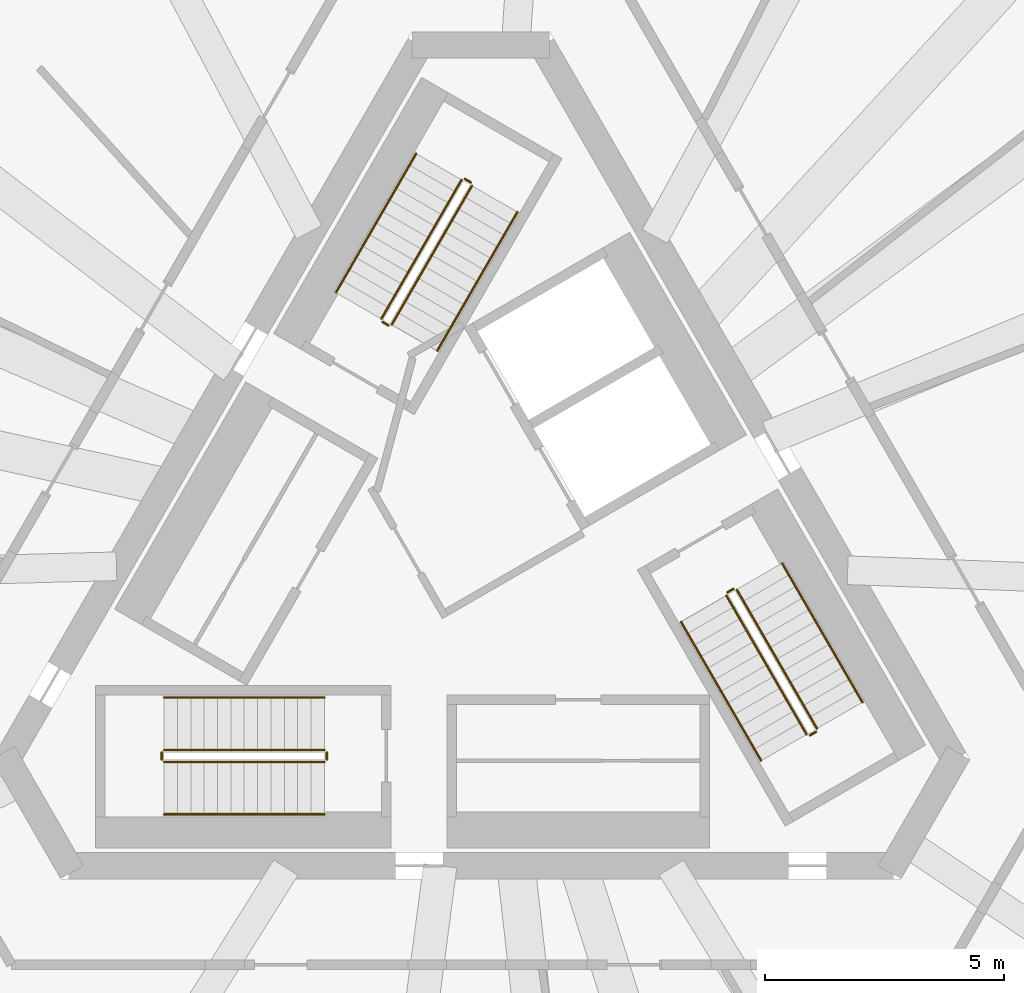
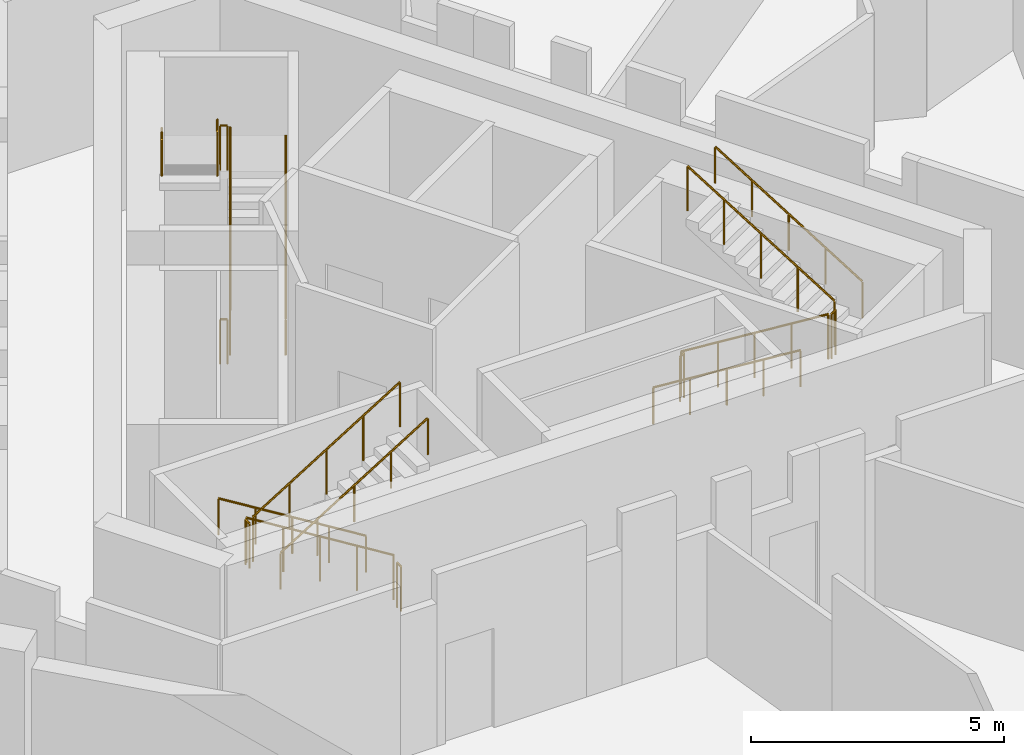
# One storey, part 5 of 5: 18 railings.
"""IFC4 building model written with IfcOpenShell, lengths in metres."""

import ifcopenshell
import ifcopenshell.guid

model = None  # the IFC model being written
_history = None  # IfcOwnerHistory: only IFC2X3 demands one
_inside = {}  # id of a spatial element -> (the spatial element, [elements in it])
_under = {}  # id of a project, library or spatial element -> (it, [spatial elements below it])
_declared = {}  # id of a project -> (the project, [libraries it declares])
_typed = {}  # id of a type object -> (the type object, [elements of that type])
_made_of = {}  # id of a material, layer set ... -> (it, [elements and type objects made of it])


def new_model(schema):
    """Start an empty IFC model of exactly this schema.

    Asked for "IFC4X3", IfcOpenShell would pick the latest addendum, in which some entities
    have other attributes; the version numbers below select the first issue.
    IFC2X3 requires an IfcOwnerHistory on every rooted entity: one is made here for all.
    """
    global model, _history
    if schema == "IFC4X3":
        model = ifcopenshell.file(schema_version=(4, 3, 0, 0))
    else:
        model = ifcopenshell.file(schema=schema)
    _inside.clear()
    _under.clear()
    _declared.clear()
    _typed.clear()
    _made_of.clear()
    _history = None
    if model.schema == "IFC2X3":
        org = make("IfcOrganization", Name="unknown")
        user = make(
            "IfcPersonAndOrganization",
            ThePerson=make("IfcPerson", FamilyName="unknown"),
            TheOrganization=org,
        )
        app = make(
            "IfcApplication",
            ApplicationDeveloper=org,
            Version="unknown",
            ApplicationFullName="unknown",
            ApplicationIdentifier="unknown",
        )
        _history = make(
            "IfcOwnerHistory",
            OwningUser=user,
            OwningApplication=app,
            ChangeAction="ADDED",
            CreationDate=0,
        )
    return model


def make(cls, **values):
    """One entity of the class cls with the attributes given. An attribute that is None is left unset."""
    return model.create_entity(
        cls, **{name: value for name, value in values.items() if value is not None}
    )


def rooted(cls, **values):
    """An entity with a GlobalId (a new one), such as an element, a storey or a relation."""
    return make(cls, GlobalId=ifcopenshell.guid.new(), OwnerHistory=_history, **values)


def si_unit(unit_type, name, prefix=None):
    """IfcSIUnit, for example si_unit("LENGTHUNIT", "METRE", prefix="MILLI")."""
    return make("IfcSIUnit", UnitType=unit_type, Prefix=prefix, Name=name)


def assignment(units):
    """IfcUnitAssignment: the units of a project."""
    return None if units is None else make("IfcUnitAssignment", Units=units)


def point(xyz):
    """IfcCartesianPoint."""
    return None if xyz is None else make("IfcCartesianPoint", Coordinates=xyz)


def direction(xyz):
    """IfcDirection."""
    return None if xyz is None else make("IfcDirection", DirectionRatios=xyz)


def frame(location, z_axis=None, x_axis=None):
    """IfcAxis2Placement3D, a coordinate frame: its origin and axes. An axis left out is left unset."""
    return make(
        "IfcAxis2Placement3D",
        Location=point(location),
        Axis=direction(z_axis),
        RefDirection=direction(x_axis),
    )


def frame_2d(location, x_axis=None):
    """IfcAxis2Placement2D, a coordinate frame in the plane: its origin and x axis."""
    return make(
        "IfcAxis2Placement2D", Location=point(location), RefDirection=direction(x_axis)
    )


def origin():
    """The frame at (0, 0, 0) with its axes left unset."""
    return frame((0.0, 0.0, 0.0))


def origin_2d():
    """The frame at (0, 0) in the plane with its x axis left unset."""
    return frame_2d((0.0, 0.0))


def place(relative_to, where):
    """IfcLocalPlacement: puts the frame where relative to a parent placement (None: the world)."""
    return make(
        "IfcLocalPlacement", PlacementRelTo=relative_to, RelativePlacement=where
    )


def context(
    kind, dimensions, precision=None, world=None, true_north=None, identifier=None
):
    """IfcGeometricRepresentationContext, for example the 3D "Model" context."""
    return make(
        "IfcGeometricRepresentationContext",
        ContextIdentifier=identifier,
        ContextType=kind,
        CoordinateSpaceDimension=dimensions,
        Precision=precision,
        WorldCoordinateSystem=world,
        TrueNorth=true_north,
    )


def subcontext(parent, identifier, kind, view, scale=None):
    """IfcGeometricRepresentationSubContext, for example "Body" below "Model"."""
    return make(
        "IfcGeometricRepresentationSubContext",
        ContextIdentifier=identifier,
        ContextType=kind,
        ParentContext=parent,
        TargetScale=scale,
        TargetView=view,
    )


def project(units=None, contexts=None):
    """IfcProject with its units and contexts."""
    return rooted(
        "IfcProject",
        Name="project",
        RepresentationContexts=contexts,
        UnitsInContext=assignment(units),
    )


def spatial(cls, under=None, at=None, **own):
    """A site, building, storey or space (cls), placed at a placement, below another one or the project."""
    s = rooted(cls, ObjectPlacement=at, **own)
    if under is not None:
        _under.setdefault(under.id(), (under, []))[1].append(s)
    return s


def profile(cls, at=None, kind="AREA", **sizes):
    """A parametric profile (cls). Its sizes go by their IFC names, for example OverallWidth=200.0."""
    return make(cls, ProfileType=kind, Position=at, **sizes)


def circle(**sizes):
    """IfcCircleProfileDef."""
    return profile("IfcCircleProfileDef", **sizes)


def extrude(swept, where, along, depth):
    """IfcExtrudedAreaSolid: the profile swept, set in the frame where, extruded along a direction by depth."""
    return make(
        "IfcExtrudedAreaSolid",
        SweptArea=swept,
        Position=where,
        ExtrudedDirection=direction(along),
        Depth=depth,
    )


def shape(context_of_items, identifier, shape_type, items):
    """IfcShapeRepresentation: the items that make up one representation, for example the "Body"."""
    return make(
        "IfcShapeRepresentation",
        ContextOfItems=context_of_items,
        RepresentationIdentifier=identifier,
        RepresentationType=shape_type,
        Items=items,
    )


def material(Name=None, Category=None):
    """IfcMaterial."""
    return make("IfcMaterial", Name=Name, Category=Category)


def made_of(thing, what):
    """Note that an element or type object is made of a material, layer set ...; save() writes the relation."""
    if what is not None:
        _made_of.setdefault(what.id(), (what, []))[1].append(thing)
    return thing


def type_object(cls, material=None, **own):
    """A type object (cls), such as IfcWallType, which elements share."""
    return made_of(rooted(cls, **own), material)


def element(
    cls,
    number,
    at=None,
    inside=None,
    cuts=None,
    type_object=None,
    material=None,
    context=None,
    identifier="Body",
    shape_type=None,
    held_by="IfcProductDefinitionShape",
    body=None,
    shapes=None,
    **own,
):
    """One element of the class cls, such as IfcWall. Its Tag is "e" and its number.

    at: its placement. inside: the storey or other place that contains it. cuts: it is an
    opening in that element (IfcRelVoidsElement). A single representation is given by context,
    identifier, shape_type and body (its items); several are given by shapes. held_by: the class
    of the entity that holds the representations. save() writes the other relations.
    """
    e = rooted(cls, Tag="e%d" % number, ObjectPlacement=at, **own)
    if body is not None:
        shapes = [shape(context, identifier, shape_type, body)]
    if shapes is not None:
        e.Representation = make(held_by, Representations=shapes)
    if inside is not None:
        _inside.setdefault(inside.id(), (inside, []))[1].append(e)
    if cuts is not None:
        rooted(
            "IfcRelVoidsElement", RelatingBuildingElement=cuts, RelatedOpeningElement=e
        )
    if type_object is not None:
        _typed.setdefault(type_object.id(), (type_object, []))[1].append(e)
    return made_of(e, material)


def aggregate(whole, parts):
    """IfcRelAggregates: a whole, such as a stair, and the parts it consists of."""
    return rooted("IfcRelAggregates", RelatingObject=whole, RelatedObjects=parts)


def save(model, path):
    """Write the relations noted so far, then the file.

    IfcRelAggregates (storeys below a building ...), IfcRelContainedInSpatialStructure (elements
    in a storey), IfcRelDefinesByType, IfcRelAssociatesMaterial and IfcRelDeclares: one each for
    every whole, place, type object, material and project.
    """
    for whole, parts in _under.values():
        aggregate(whole, parts)
    for where, things in _inside.values():
        rooted(
            "IfcRelContainedInSpatialStructure",
            RelatedElements=things,
            RelatingStructure=where,
        )
    for kind, things in _typed.values():
        rooted("IfcRelDefinesByType", RelatedObjects=things, RelatingType=kind)
    for what, things in _made_of.values():
        rooted("IfcRelAssociatesMaterial", RelatedObjects=things, RelatingMaterial=what)
    for by, libraries in _declared.values():
        rooted("IfcRelDeclares", RelatingContext=by, RelatedDefinitions=libraries)
    model.write(path)


model = new_model("IFC4")

# Units and contexts
model_context = context("Model", 3, precision=1e-05, world=origin(), true_north=direction((0.0, 1.0)))
body_context = subcontext(model_context, "Body", "Model", "MODEL_VIEW")
ifc_project = project(units=[si_unit("LENGTHUNIT", "METRE"), si_unit("AREAUNIT", "SQUARE_METRE"), si_unit("VOLUMEUNIT", "CUBIC_METRE"), si_unit("PLANEANGLEUNIT", "RADIAN"), si_unit("MASSUNIT", "GRAM", prefix="KILO")], contexts=[model_context])

# Site, building, storey
site_placement = place(None, origin())
site = spatial("IfcSite", under=ifc_project, at=site_placement, CompositionType="ELEMENT")
building_placement = place(site_placement, origin())
building = spatial("IfcBuilding", under=site, at=building_placement, Name="Tramontana Tower", CompositionType="ELEMENT")
storey_placement = place(building_placement, frame((0.0, 0.0, 356.89990234375)))
storey = spatial("IfcBuildingStorey", under=building, at=storey_placement, Name="L82", CompositionType="ELEMENT", Elevation=356.89990234375)

# Railings
ifc_material_1 = material(Name="Painted steel", Category="steel")
railing_type_1 = type_object("IfcRailingType", Name="STAIR GUARD 1100", PredefinedType="GUARDRAIL", material=ifc_material_1)
railing_1_placement = place(storey_placement, frame((-1.867431640625, 4.865478515625, 0.173095703125)))
element("IfcRailing", 1, at=railing_1_placement, inside=storey, type_object=railing_type_1, Name="L82 ST1 stair guard 1", PredefinedType="GUARDRAIL", context=body_context, shape_type="SweptSolid", body=[
    extrude(circle(Radius=0.02392578125, at=origin_2d()), frame((0.0, 0.0, 1.076171875), z_axis=(0.425288379326, 0.736667954249, 0.525785240943), x_axis=(-0.866039179741, 0.499976138585, 0.0)), (0.0, 0.0, 1.0), 3.9501953125),
    extrude(circle(Radius=0.02099609375, at=origin_2d()), origin(), (0.0, 0.0, 1.0), 1.052001953125),
    extrude(circle(Radius=0.02099609375, at=origin_2d()), frame((0.419921875, 0.7275390625, 0.519287109375)), (0.0, 0.0, 1.0), 1.052001953125),
    extrude(circle(Radius=0.02099609375, at=origin_2d()), frame((0.83984375, 1.455078125, 1.03857421875)), (0.0, 0.0, 1.0), 1.052001953125),
    extrude(circle(Radius=0.02099609375, at=origin_2d()), frame((1.260009765625, 2.182373046875, 1.5576171875)), (0.0, 0.0, 1.0), 1.052001953125),
    extrude(circle(Radius=0.02099609375, at=origin_2d()), frame((1.679931640625, 2.909912109375, 2.076904296875)), (0.0, 0.0, 1.0), 1.052001953125),
])
railing_2_placement = place(storey_placement, frame((-0.40380859375, 7.900390625, 2.423095703125)))
element("IfcRailing", 2, at=railing_2_placement, inside=storey, type_object=railing_type_1, Name="L82 ST1 stair guard 2", PredefinedType="GUARDRAIL", context=body_context, shape_type="SweptSolid", body=[
    extrude(circle(Radius=0.02392578125, at=origin_2d()), frame((0.0, 0.0, 1.076171875), z_axis=(-0.42533900462, -0.736648589954, 0.52577141998), x_axis=(0.866007717299, -0.500030632641, 0.0)), (0.0, 0.0, 1.0), 3.9501953125),
    extrude(circle(Radius=0.02099609375, at=origin_2d()), origin(), (0.0, 0.0, 1.0), 1.052001953125),
    extrude(circle(Radius=0.02099609375, at=origin_2d()), frame((-0.419921875, -0.7275390625, 0.519287109375)), (0.0, 0.0, 1.0), 1.052001953125),
    extrude(circle(Radius=0.02099609375, at=origin_2d()), frame((-0.840087890625, -1.455078125, 1.03857421875)), (0.0, 0.0, 1.0), 1.052001953125),
    extrude(circle(Radius=0.02099609375, at=origin_2d()), frame((-1.26025390625, -2.182373046875, 1.5576171875)), (0.0, 0.0, 1.0), 1.052001953125),
    extrude(circle(Radius=0.02099609375, at=origin_2d()), frame((-1.68017578125, -2.909912109375, 2.076904296875)), (0.0, 0.0, 1.0), 1.052001953125),
])
railing_3_placement = place(storey_placement, frame((-0.205810546875, 7.84375, 2.25)))
element("IfcRailing", 3, at=railing_3_placement, inside=storey, type_object=railing_type_1, Name="L82 ST1 stair guard 3", PredefinedType="GUARDRAIL", context=body_context, shape_type="SweptSolid", body=[
    extrude(circle(Radius=0.02392578125, at=origin_2d()), frame((0.0, 0.0, 1.076171875), z_axis=(-0.866131372301, 0.499816412211, 0.0), x_axis=(-0.499816412211, -0.866131372301, 0.0)), (0.0, 0.0, 1.0), 0.14990234375),
    extrude(circle(Radius=0.02099609375, at=origin_2d()), origin(), (0.0, 0.0, 1.0), 1.052001953125),
    extrude(circle(Radius=0.02099609375, at=origin_2d()), frame((-0.1298828125, 0.074951171875, 0.0)), (0.0, 0.0, 1.0), 1.052001953125),
])
railing_4_placement = place(storey_placement, frame((-1.935791015625, 4.84716796875, 0.0)))
element("IfcRailing", 4, at=railing_4_placement, inside=storey, type_object=railing_type_1, Name="L82 ST1 stair guard 4", PredefinedType="GUARDRAIL", context=body_context, shape_type="SweptSolid", body=[
    extrude(circle(Radius=0.02392578125, at=origin_2d()), frame((0.0, 0.0, 1.076171875), z_axis=(-0.865426285481, 0.501036270542, 0.0), x_axis=(-0.501036270542, -0.865426285481, 0.0)), (0.0, 0.0, 1.0), 0.150146484375),
    extrude(circle(Radius=0.02099609375, at=origin_2d()), origin(), (0.0, 0.0, 1.0), 1.052001953125),
    extrude(circle(Radius=0.02099609375, at=origin_2d()), frame((-0.1298828125, 0.0751953125, 0.0)), (0.0, 0.0, 1.0), 1.052001953125),
])
railing_5_placement = place(storey_placement, frame((-3.280029296875, -4.050048828125, 0.173095703125)))
element("IfcRailing", 5, at=railing_5_placement, inside=storey, type_object=railing_type_1, Name="L82 ST2 stair guard 1", PredefinedType="GUARDRAIL", context=body_context, shape_type="SweptSolid", body=[
    extrude(circle(Radius=0.02392578125, at=origin_2d()), frame((0.0, 0.0, 1.076171875), z_axis=(-0.850606129759, 0.0, 0.525803396734), x_axis=(0.0, -1.0, 0.0)), (0.0, 0.0, 1.0), 3.949951171875),
    extrude(circle(Radius=0.02099609375, at=origin_2d()), origin(), (0.0, 0.0, 1.0), 1.052001953125),
    extrude(circle(Radius=0.02099609375, at=origin_2d()), frame((-0.83984375, 0.0, 0.519287109375)), (0.0, 0.0, 1.0), 1.052001953125),
    extrude(circle(Radius=0.02099609375, at=origin_2d()), frame((-1.679931640625, 0.0, 1.03857421875)), (0.0, 0.0, 1.0), 1.052001953125),
    extrude(circle(Radius=0.02099609375, at=origin_2d()), frame((-2.52001953125, 0.0, 1.5576171875)), (0.0, 0.0, 1.0), 1.052001953125),
    extrude(circle(Radius=0.02099609375, at=origin_2d()), frame((-3.35986328125, 0.0, 2.076904296875)), (0.0, 0.0, 1.0), 1.052001953125),
])
railing_6_placement = place(storey_placement, frame((-6.639892578125, -4.300048828125, 2.423095703125)))
element("IfcRailing", 6, at=railing_6_placement, inside=storey, type_object=railing_type_1, Name="L82 ST2 stair guard 2", PredefinedType="GUARDRAIL", context=body_context, shape_type="SweptSolid", body=[
    extrude(circle(Radius=0.02392578125, at=origin_2d()), frame((0.0, 0.0, 1.076171875), z_axis=(0.850606129759, 0.0, 0.525803396734), x_axis=(0.0, 1.0, 0.0)), (0.0, 0.0, 1.0), 3.949951171875),
    extrude(circle(Radius=0.02099609375, at=origin_2d()), origin(), (0.0, 0.0, 1.0), 1.052001953125),
    extrude(circle(Radius=0.02099609375, at=origin_2d()), frame((0.83984375, 0.0, 0.519287109375)), (0.0, 0.0, 1.0), 1.052001953125),
    extrude(circle(Radius=0.02099609375, at=origin_2d()), frame((1.679931640625, 0.0, 1.03857421875)), (0.0, 0.0, 1.0), 1.052001953125),
    extrude(circle(Radius=0.02099609375, at=origin_2d()), frame((2.52001953125, 0.0, 1.5576171875)), (0.0, 0.0, 1.0), 1.052001953125),
    extrude(circle(Radius=0.02099609375, at=origin_2d()), frame((3.35986328125, 0.0, 2.076904296875)), (0.0, 0.0, 1.0), 1.052001953125),
])
for number, where, name in (
    (7, (-6.68994140625, -4.10009765625, 2.25), "L82 ST2 stair guard 3"),
    (8, (-3.22998046875, -4.10009765625, 0.0), "L82 ST2 stair guard 4"),
):
    element("IfcRailing", number, at=place(storey_placement, frame(where)), inside=storey, type_object=railing_type_1, Name=name, PredefinedType="GUARDRAIL", context=body_context, shape_type="SweptSolid", body=[
        extrude(circle(Radius=0.02392578125, at=origin_2d()), frame((0.0, 0.0, 1.076171875), z_axis=(0.0, -1.0, 0.0), x_axis=(1.0, 0.0, 0.0)), (0.0, 0.0, 1.0), 0.14990234375),
        extrude(circle(Radius=0.02099609375, at=origin_2d()), origin(), (0.0, 0.0, 1.0), 1.052001953125),
        extrude(circle(Radius=0.02099609375, at=origin_2d()), frame((0.0, -0.14990234375, 0.0)), (0.0, 0.0, 1.0), 1.052001953125),
    ])
railing_7_placement = place(storey_placement, frame((5.1474609375, -0.815673828125, 0.173095703125)))
element("IfcRailing", 9, at=railing_7_placement, inside=storey, type_object=railing_type_1, Name="L82 ST3 stair guard 1", PredefinedType="GUARDRAIL", context=body_context, shape_type="SweptSolid", body=[
    extrude(circle(Radius=0.02392578125, at=origin_2d()), frame((0.0, 0.0, 1.076171875), z_axis=(0.425307743487, -0.736639687092, 0.525809180911), x_axis=(0.866021014662, 0.500007602105, 0.0)), (0.0, 0.0, 1.0), 3.949951171875),
    extrude(circle(Radius=0.02099609375, at=origin_2d()), origin(), (0.0, 0.0, 1.0), 1.052001953125),
    extrude(circle(Radius=0.02099609375, at=origin_2d()), frame((0.419921875, -0.7275390625, 0.519287109375)), (0.0, 0.0, 1.0), 1.052001953125),
    extrude(circle(Radius=0.02099609375, at=origin_2d()), frame((0.83984375, -1.454833984375, 1.03857421875)), (0.0, 0.0, 1.0), 1.052001953125),
    extrude(circle(Radius=0.02099609375, at=origin_2d()), frame((1.260009765625, -2.18212890625, 1.5576171875)), (0.0, 0.0, 1.0), 1.052001953125),
    extrude(circle(Radius=0.02099609375, at=origin_2d()), frame((1.679931640625, -2.90966796875, 2.076904296875)), (0.0, 0.0, 1.0), 1.052001953125),
])
railing_8_placement = place(storey_placement, frame((7.0439453125, -3.600341796875, 2.423095703125)))
element("IfcRailing", 10, at=railing_8_placement, inside=storey, type_object=railing_type_1, Name="L82 ST3 stair guard 2", PredefinedType="GUARDRAIL", context=body_context, shape_type="SweptSolid", body=[
    extrude(circle(Radius=0.02392578125, at=origin_2d()), frame((0.0, 0.0, 1.076171875), z_axis=(-0.425307743487, 0.736639687092, 0.525809180911), x_axis=(-0.866021014662, -0.500007602105, 0.0)), (0.0, 0.0, 1.0), 3.949951171875),
    extrude(circle(Radius=0.02099609375, at=origin_2d()), origin(), (0.0, 0.0, 1.0), 1.052001953125),
    extrude(circle(Radius=0.02099609375, at=origin_2d()), frame((-0.419921875, 0.7275390625, 0.519287109375)), (0.0, 0.0, 1.0), 1.052001953125),
    extrude(circle(Radius=0.02099609375, at=origin_2d()), frame((-0.83984375, 1.454833984375, 1.03857421875)), (0.0, 0.0, 1.0), 1.052001953125),
    extrude(circle(Radius=0.02099609375, at=origin_2d()), frame((-1.260009765625, 2.18212890625, 1.5576171875)), (0.0, 0.0, 1.0), 1.052001953125),
    extrude(circle(Radius=0.02099609375, at=origin_2d()), frame((-1.679931640625, 2.90966796875, 2.076904296875)), (0.0, 0.0, 1.0), 1.052001953125),
])
for number, where, name in (
    (11, (6.895751953125, -3.74365234375, 2.25), "L82 ST3 stair guard 3"),
    (12, (5.165771484375, -0.747314453125, 0.0), "L82 ST3 stair guard 4"),
):
    element("IfcRailing", number, at=place(storey_placement, frame(where)), inside=storey, type_object=railing_type_1, Name=name, PredefinedType="GUARDRAIL", context=body_context, shape_type="SweptSolid", body=[
        extrude(circle(Radius=0.02392578125, at=origin_2d()), frame((0.0, 0.0, 1.076171875), z_axis=(0.866131372301, 0.499816412211, 0.0), x_axis=(-0.499816412211, 0.866131372301, 0.0)), (0.0, 0.0, 1.0), 0.14990234375),
        extrude(circle(Radius=0.02099609375, at=origin_2d()), origin(), (0.0, 0.0, 1.0), 1.052001953125),
        extrude(circle(Radius=0.02099609375, at=origin_2d()), frame((0.1298828125, 0.074951171875, 0.0)), (0.0, 0.0, 1.0), 1.052001953125),
    ])
ifc_material_2 = material(Name="Painted steel", Category="steel")
railing_type_2 = type_object("IfcRailingType", Name="STAIR HANDRAIL 900", PredefinedType="HANDRAIL", material=ifc_material_2)
railing_9_placement = place(storey_placement, frame((-0.914794921875, 4.315673828125, 0.173095703125)))
element("IfcRailing", 13, at=railing_9_placement, inside=storey, type_object=railing_type_2, Name="L82 ST1 stair handrail 1", PredefinedType="HANDRAIL", context=body_context, shape_type="SweptSolid", body=[
    extrude(circle(Radius=0.02392578125, at=origin_2d()), frame((0.0, 0.0, 0.8759765625), z_axis=(0.425307743487, 0.736639687092, 0.525809180911), x_axis=(-0.866021014662, 0.500007602105, 0.0)), (0.0, 0.0, 1.0), 3.949951171875),
    extrude(circle(Radius=0.02099609375, at=origin_2d()), origin(), (0.0, 0.0, 1.0), 0.851806640625),
    extrude(circle(Radius=0.02099609375, at=origin_2d()), frame((0.419921875, 0.7275390625, 0.519287109375)), (0.0, 0.0, 1.0), 0.851806640625),
    extrude(circle(Radius=0.02099609375, at=origin_2d()), frame((0.83984375, 1.454833984375, 1.03857421875)), (0.0, 0.0, 1.0), 0.851806640625),
    extrude(circle(Radius=0.02099609375, at=origin_2d()), frame((1.260009765625, 2.18212890625, 1.5576171875)), (0.0, 0.0, 1.0), 0.851806640625),
    extrude(circle(Radius=0.02099609375, at=origin_2d()), frame((1.679931640625, 2.90966796875, 2.076904296875)), (0.0, 0.0, 1.0), 0.851806640625),
])
railing_10_placement = place(storey_placement, frame((-1.3564453125, 8.450439453125, 2.423095703125)))
element("IfcRailing", 14, at=railing_10_placement, inside=storey, type_object=railing_type_2, Name="L82 ST1 stair handrail 2", PredefinedType="HANDRAIL", context=body_context, shape_type="SweptSolid", body=[
    extrude(circle(Radius=0.02392578125, at=origin_2d()), frame((0.0, 0.0, 0.8759765625), z_axis=(-0.42533900462, -0.736648589954, 0.52577141998), x_axis=(0.866007717299, -0.500030632641, 0.0)), (0.0, 0.0, 1.0), 3.9501953125),
    extrude(circle(Radius=0.02099609375, at=origin_2d()), origin(), (0.0, 0.0, 1.0), 0.851806640625),
    extrude(circle(Radius=0.02099609375, at=origin_2d()), frame((-0.419921875, -0.7275390625, 0.519287109375)), (0.0, 0.0, 1.0), 0.851806640625),
    extrude(circle(Radius=0.02099609375, at=origin_2d()), frame((-0.840087890625, -1.455078125, 1.03857421875)), (0.0, 0.0, 1.0), 0.851806640625),
    extrude(circle(Radius=0.02099609375, at=origin_2d()), frame((-1.26025390625, -2.182373046875, 1.5576171875)), (0.0, 0.0, 1.0), 0.851806640625),
    extrude(circle(Radius=0.02099609375, at=origin_2d()), frame((-1.68017578125, -2.909912109375, 2.076904296875)), (0.0, 0.0, 1.0), 0.851806640625),
])
railing_11_placement = place(storey_placement, frame((-3.280029296875, -2.949951171875, 0.173095703125)))
element("IfcRailing", 15, at=railing_11_placement, inside=storey, type_object=railing_type_2, Name="L82 ST2 stair handrail 1", PredefinedType="HANDRAIL", context=body_context, shape_type="SweptSolid", body=[
    extrude(circle(Radius=0.02392578125, at=origin_2d()), frame((0.0, 0.0, 0.8759765625), z_axis=(-0.850606129759, 0.0, 0.525803396734), x_axis=(0.0, -1.0, 0.0)), (0.0, 0.0, 1.0), 3.949951171875),
    extrude(circle(Radius=0.02099609375, at=origin_2d()), origin(), (0.0, 0.0, 1.0), 0.851806640625),
    extrude(circle(Radius=0.02099609375, at=origin_2d()), frame((-0.83984375, 0.0, 0.519287109375)), (0.0, 0.0, 1.0), 0.851806640625),
    extrude(circle(Radius=0.02099609375, at=origin_2d()), frame((-1.679931640625, 0.0, 1.03857421875)), (0.0, 0.0, 1.0), 0.851806640625),
    extrude(circle(Radius=0.02099609375, at=origin_2d()), frame((-2.52001953125, 0.0, 1.5576171875)), (0.0, 0.0, 1.0), 0.851806640625),
    extrude(circle(Radius=0.02099609375, at=origin_2d()), frame((-3.35986328125, 0.0, 2.076904296875)), (0.0, 0.0, 1.0), 0.851806640625),
])
railing_12_placement = place(storey_placement, frame((-6.639892578125, -5.39990234375, 2.423095703125)))
element("IfcRailing", 16, at=railing_12_placement, inside=storey, type_object=railing_type_2, Name="L82 ST2 stair handrail 2", PredefinedType="HANDRAIL", context=body_context, shape_type="SweptSolid", body=[
    extrude(circle(Radius=0.02392578125, at=origin_2d()), frame((0.0, 0.0, 0.8759765625), z_axis=(0.850606129759, 0.0, 0.525803396734), x_axis=(0.0, 1.0, 0.0)), (0.0, 0.0, 1.0), 3.949951171875),
    extrude(circle(Radius=0.02099609375, at=origin_2d()), origin(), (0.0, 0.0, 1.0), 0.851806640625),
    extrude(circle(Radius=0.02099609375, at=origin_2d()), frame((0.83984375, 0.0, 0.519287109375)), (0.0, 0.0, 1.0), 0.851806640625),
    extrude(circle(Radius=0.02099609375, at=origin_2d()), frame((1.679931640625, 0.0, 1.03857421875)), (0.0, 0.0, 1.0), 0.851806640625),
    extrude(circle(Radius=0.02099609375, at=origin_2d()), frame((2.52001953125, 0.0, 1.5576171875)), (0.0, 0.0, 1.0), 0.851806640625),
    extrude(circle(Radius=0.02099609375, at=origin_2d()), frame((3.35986328125, 0.0, 2.076904296875)), (0.0, 0.0, 1.0), 0.851806640625),
])
railing_13_placement = place(storey_placement, frame((4.19482421875, -1.365478515625, 0.173095703125)))
element("IfcRailing", 17, at=railing_13_placement, inside=storey, type_object=railing_type_2, Name="L82 ST3 stair handrail 1", PredefinedType="HANDRAIL", context=body_context, shape_type="SweptSolid", body=[
    extrude(circle(Radius=0.02392578125, at=origin_2d()), frame((0.0, 0.0, 0.8759765625), z_axis=(0.425288379326, -0.736667954249, 0.525785240943), x_axis=(0.866039179741, 0.499976138585, 0.0)), (0.0, 0.0, 1.0), 3.9501953125),
    extrude(circle(Radius=0.02099609375, at=origin_2d()), origin(), (0.0, 0.0, 1.0), 0.851806640625),
    extrude(circle(Radius=0.02099609375, at=origin_2d()), frame((0.419921875, -0.7275390625, 0.519287109375)), (0.0, 0.0, 1.0), 0.851806640625),
    extrude(circle(Radius=0.02099609375, at=origin_2d()), frame((0.83984375, -1.455078125, 1.03857421875)), (0.0, 0.0, 1.0), 0.851806640625),
    extrude(circle(Radius=0.02099609375, at=origin_2d()), frame((1.260009765625, -2.182373046875, 1.5576171875)), (0.0, 0.0, 1.0), 0.851806640625),
    extrude(circle(Radius=0.02099609375, at=origin_2d()), frame((1.679931640625, -2.909912109375, 2.076904296875)), (0.0, 0.0, 1.0), 0.851806640625),
])
railing_14_placement = place(storey_placement, frame((7.99658203125, -3.05029296875, 2.423095703125)))
element("IfcRailing", 18, at=railing_14_placement, inside=storey, type_object=railing_type_2, Name="L82 ST3 stair handrail 2", PredefinedType="HANDRAIL", context=body_context, shape_type="SweptSolid", body=[
    extrude(circle(Radius=0.02392578125, at=origin_2d()), frame((0.0, 0.0, 0.8759765625), z_axis=(-0.425307743487, 0.736639687092, 0.525809180911), x_axis=(-0.866021014662, -0.500007602105, 0.0)), (0.0, 0.0, 1.0), 3.949951171875),
    extrude(circle(Radius=0.02099609375, at=origin_2d()), origin(), (0.0, 0.0, 1.0), 0.851806640625),
    extrude(circle(Radius=0.02099609375, at=origin_2d()), frame((-0.419921875, 0.7275390625, 0.519287109375)), (0.0, 0.0, 1.0), 0.851806640625),
    extrude(circle(Radius=0.02099609375, at=origin_2d()), frame((-0.83984375, 1.454833984375, 1.03857421875)), (0.0, 0.0, 1.0), 0.851806640625),
    extrude(circle(Radius=0.02099609375, at=origin_2d()), frame((-1.260009765625, 2.18212890625, 1.5576171875)), (0.0, 0.0, 1.0), 0.851806640625),
    extrude(circle(Radius=0.02099609375, at=origin_2d()), frame((-1.679931640625, 2.90966796875, 2.076904296875)), (0.0, 0.0, 1.0), 0.851806640625),
])

save(model, "model.ifc")
